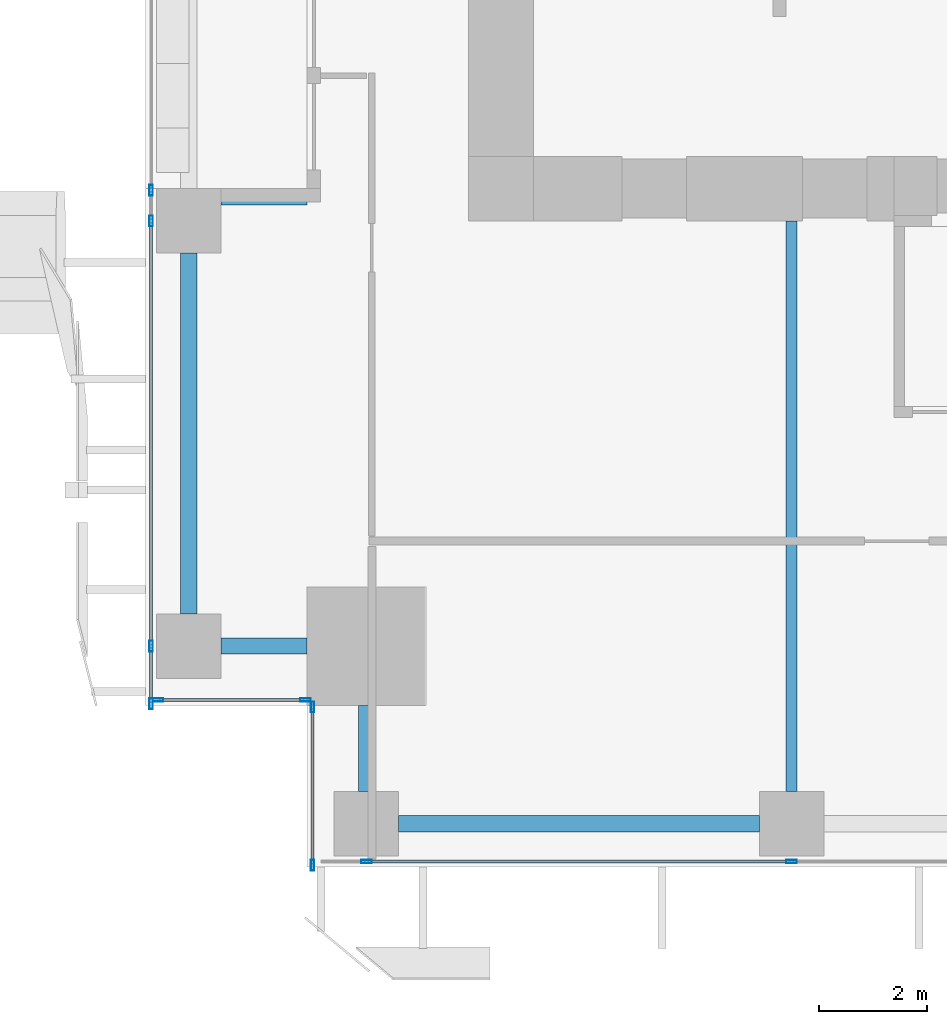
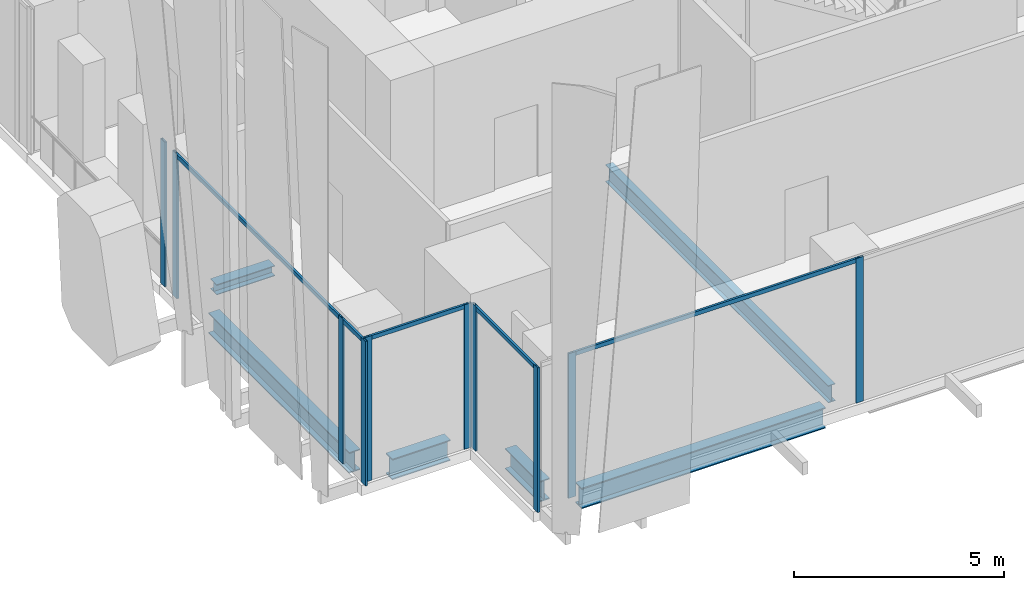
# One storey, part 2 of 36: 15 members, 6 beams, 4 elements without a shape of their own.
"""IFC4 building model written with IfcOpenShell, lengths in metres."""

from ifc_helpers import new_model, si_unit, direction, frame, origin, origin_2d, place, context, subcontext, project, spatial, hollow_rectangle, i_section, extrude, source, transform, mapped, material, material_profile, profile_set, type_object, element, aggregate, save


model = new_model("IFC4")

# Units and contexts
model_context = context("Model", 3, precision=1e-05, world=origin(), true_north=direction((0.0, 1.0)))
body_context = subcontext(model_context, "Body", "Model", "MODEL_VIEW")
ifc_project = project(units=[si_unit("LENGTHUNIT", "METRE"), si_unit("AREAUNIT", "SQUARE_METRE"), si_unit("VOLUMEUNIT", "CUBIC_METRE"), si_unit("PLANEANGLEUNIT", "RADIAN"), si_unit("MASSUNIT", "GRAM", prefix="KILO")], contexts=[model_context])

# Site, building, storey
site_placement = place(None, origin())
site = spatial("IfcSite", under=ifc_project, at=site_placement, CompositionType="ELEMENT")
building_placement = place(site_placement, origin())
building = spatial("IfcBuilding", under=site, at=building_placement, Name="Khomas Fold Tower", CompositionType="ELEMENT")
storey_placement = place(building_placement, frame((0.0, 0.0, 46.5)))
storey = spatial("IfcBuildingStorey", under=building, at=storey_placement, Name="L09", CompositionType="ELEMENT", Elevation=46.5)

# Beams
ifc_material_1 = material(Name="Steel S355", Category="steel")
ifc_material_profile_1 = material_profile(ifc_material_1, i_section(OverallWidth=0.199951171875, OverallDepth=0.5, WebThickness=0.01025390625, FlangeThickness=0.01611328125, at=origin_2d()), Name="IPE 500")
ifc_profile_set_1 = profile_set([ifc_material_profile_1], Name="Steel S355")
beam_type_1 = type_object("IfcBeamType", Name="IPE 500 beam JB5", PredefinedType="BEAM", material=ifc_profile_set_1)
shared_shape_1 = source(origin(), body_context, "Body", "SweptSolid", [
    extrude(i_section(OverallWidth=0.199951171875, OverallDepth=0.5, WebThickness=0.01025390625, FlangeThickness=0.01611328125, at=origin_2d()), origin(), (0.0, 0.0, 1.0), 10.60009765625),
])
beam_1_placement = place(storey_placement, frame((12.0, 1.39990234375, -0.550048828125), z_axis=(0.0, 1.0, 0.0), x_axis=(-1.0, 0.0, 0.0)))
element("IfcBeam", 1, at=beam_1_placement, inside=storey, type_object=beam_type_1, Name="JB5", PredefinedType="BEAM", context=body_context, shape_type="MappedRepresentation", body=[
    mapped(shared_shape_1, transform((0.0, 0.0, 0.0))),
])
ifc_material_2 = material(Name="Steel S355", Category="steel")
ifc_material_profile_2 = material_profile(ifc_material_2, i_section(OverallWidth=0.300048828125, OverallDepth=0.60009765625, WebThickness=0.015380859375, FlangeThickness=0.030029296875, at=origin_2d()), Name="HE 600 B")
ifc_profile_set_2 = profile_set([ifc_material_profile_2], Name="Steel S355")
beam_type_2 = type_object("IfcBeamType", Name="HE 600 B spandrel SB1", PredefinedType="SPANDREL", material=ifc_profile_set_2)
shared_shape_2 = source(origin(), body_context, "Body", "SweptSolid", [
    extrude(i_section(OverallWidth=0.300048828125, OverallDepth=0.60009765625, WebThickness=0.015380859375, FlangeThickness=0.030029296875, at=origin_2d()), origin(), (0.0, 0.0, 1.0), 6.699951171875),
])
for number, where, z_axis, x_axis, name in (
    (2, (4.699951171875, 0.800048828125, -0.60009765625), (1.0, 0.0, 0.0), (0.0, 1.0, 0.0), "SB1"),
    (3, (0.800048828125, 4.699951171875, -0.60009765625), (0.0, 1.0, 0.0), (-1.0, 0.0, 0.0), "SB1"),
):
    element("IfcBeam", number, at=place(storey_placement, frame(where, z_axis=z_axis, x_axis=x_axis)), inside=storey, type_object=beam_type_2, Name=name, PredefinedType="SPANDREL", context=body_context, shape_type="MappedRepresentation", body=[
        mapped(shared_shape_2, transform((0.0, 0.0, 0.0))),
    ])
shared_shape_3 = source(origin(), body_context, "Body", "SweptSolid", [
    extrude(i_section(OverallWidth=0.300048828125, OverallDepth=0.60009765625, WebThickness=0.015380859375, FlangeThickness=0.030029296875, at=origin_2d()), origin(), (0.0, 0.0, 1.0), 1.60009765625),
])
for number, where, z_axis, x_axis, name in (
    (4, (1.39990234375, 4.10009765625, -0.60009765625), (1.0, 0.0, 0.0), (0.0, 1.0, 0.0), "SB1"),
    (5, (4.10009765625, 1.39990234375, -0.60009765625), (0.0, 1.0, 0.0), (-1.0, 0.0, 0.0), "SB1"),
):
    element("IfcBeam", number, at=place(storey_placement, frame(where, z_axis=z_axis, x_axis=x_axis)), inside=storey, type_object=beam_type_2, Name=name, PredefinedType="SPANDREL", context=body_context, shape_type="MappedRepresentation", body=[
        mapped(shared_shape_3, transform((0.0, 0.0, 0.0))),
    ])
ifc_material_3 = material(Name="Steel S355", Category="steel")
ifc_material_profile_3 = material_profile(ifc_material_3, i_section(OverallWidth=0.300048828125, OverallDepth=0.300048828125, WebThickness=0.010986328125, FlangeThickness=0.01904296875, at=origin_2d()), Name="HE 300 B")
ifc_profile_set_3 = profile_set([ifc_material_profile_3], Name="Steel S355")
beam_type_3 = type_object("IfcBeamType", Name="HE 300 B beam BB1", PredefinedType="BEAM", material=ifc_profile_set_3)
shared_shape_4 = source(origin(), body_context, "Body", "SweptSolid", [
    extrude(i_section(OverallWidth=0.300048828125, OverallDepth=0.300048828125, WebThickness=0.010986328125, FlangeThickness=0.01904296875, at=origin_2d()), origin(), (0.0, 0.0, 1.0), 1.60009765625),
])
beam_2_placement = place(storey_placement, frame((1.39990234375, 12.449951171875, -0.449951171875), z_axis=(1.0, 0.0, 0.0), x_axis=(0.0, 1.0, 0.0)))
element("IfcBeam", 6, at=beam_2_placement, inside=storey, type_object=beam_type_3, Name="BB1", PredefinedType="BEAM", context=body_context, shape_type="MappedRepresentation", body=[
    mapped(shared_shape_4, transform((0.0, 0.0, 0.0))),
])

# Curtain wall, member
ifc_material_4 = material(Name="Aluminium framed double glazing", Category="aluminium")
curtain_wall_type = type_object("IfcCurtainWallType", Name="SK-Unitised clear-glass wall, growing floors CW1", PredefinedType="NOTDEFINED", material=ifc_material_4)
curtain_wall_1_placement = place(storey_placement, origin())
curtain_wall_1 = element("IfcCurtainWall", 7, at=curtain_wall_1_placement, inside=storey, type_object=curtain_wall_type, Name="CW1 run L09 00-0", PredefinedType="NOTDEFINED")
ifc_material_5 = material(Name="Aluminium", Category="aluminium")
ifc_material_profile_4 = material_profile(ifc_material_5, hollow_rectangle(XDim=0.06005859375, YDim=0.1201171875, WallThickness=0.00390625, at=origin_2d()), Name="SK-Unitised clear-glass wall, growing floors transom CW1-T")
ifc_profile_set_4 = profile_set([ifc_material_profile_4], Name="Aluminium")
member_type_1 = type_object("IfcMemberType", Name="SK-Unitised clear-glass wall, growing floors transom CW1-T", PredefinedType="USERDEFINED", material=ifc_profile_set_4)
shared_shape_5 = source(origin(), body_context, "Body", "SweptSolid", [
    extrude(hollow_rectangle(XDim=0.06005859375, YDim=0.1201171875, WallThickness=0.00390625, at=origin_2d()), origin(), (0.0, 0.0, 1.0), 7.840087890625),
])
member_1_placement = place(storey_placement, frame((4.1298828125, 0.10009765625, 4.139892578125), z_axis=(1.0, 0.0, 0.0), x_axis=(0.0, 1.0, 0.0)))
member_1 = element("IfcMember", 8, at=member_1_placement, type_object=member_type_1, Name="CW1 transom 2", ObjectType="TRANSOM", PredefinedType="USERDEFINED", context=body_context, shape_type="MappedRepresentation", body=[
    mapped(shared_shape_5, transform((0.0, 0.0, 0.0))),
])

# Curtain wall, members
curtain_wall_2_placement = place(storey_placement, origin())
curtain_wall_2 = element("IfcCurtainWall", 9, at=curtain_wall_2_placement, inside=storey, type_object=curtain_wall_type, Name="CW1 run L09 09-1", PredefinedType="NOTDEFINED")
member_2_placement = place(storey_placement, frame((0.10009765625, 11.969970703125, 4.139892578125), z_axis=(0.0, -1.0, 0.0), x_axis=(1.0, 0.0, 0.0)))
member_2 = element("IfcMember", 10, at=member_2_placement, type_object=member_type_1, Name="CW1 transom 2", ObjectType="TRANSOM", PredefinedType="USERDEFINED", context=body_context, shape_type="MappedRepresentation", body=[
    mapped(shared_shape_5, transform((0.0, 0.0, 0.0))),
])
shared_shape_6 = source(origin(), body_context, "Body", "SweptSolid", [
    extrude(hollow_rectangle(XDim=0.06005859375, YDim=0.1201171875, WallThickness=0.00390625, at=origin_2d()), origin(), (0.0, 0.0, 1.0), 1.010009765625),
])
member_3_placement = place(storey_placement, frame((0.10009765625, 4.070068359375, 4.139892578125), z_axis=(0.0, -1.0, 0.0), x_axis=(1.0, 0.0, 0.0)))
member_3 = element("IfcMember", 11, at=member_3_placement, type_object=member_type_1, Name="CW1 transom 3", ObjectType="TRANSOM", PredefinedType="USERDEFINED", context=body_context, shape_type="MappedRepresentation", body=[
    mapped(shared_shape_6, transform((0.0, 0.0, 0.0))),
])

# Curtain wall, member
curtain_wall_3_placement = place(storey_placement, origin())
curtain_wall_3 = element("IfcCurtainWall", 12, at=curtain_wall_3_placement, inside=storey, type_object=curtain_wall_type, Name="CW1 corner return L09 10", PredefinedType="NOTDEFINED")
shared_shape_7 = source(origin(), body_context, "Body", "SweptSolid", [
    extrude(hollow_rectangle(XDim=0.06005859375, YDim=0.1201171875, WallThickness=0.00390625, at=origin_2d()), origin(), (0.0, 0.0, 1.0), 2.679931640625),
])
member_4_placement = place(storey_placement, frame((0.260009765625, 3.10009765625, 4.139892578125), z_axis=(1.0, 0.0, 0.0), x_axis=(0.0, 1.0, 0.0)))
member_4 = element("IfcMember", 13, at=member_4_placement, type_object=member_type_1, Name="CW1 transom 1", ObjectType="TRANSOM", PredefinedType="USERDEFINED", context=body_context, shape_type="MappedRepresentation", body=[
    mapped(shared_shape_7, transform((0.0, 0.0, 0.0))),
])

curtain_wall_4_placement = place(storey_placement, origin())
curtain_wall_4 = element("IfcCurtainWall", 14, at=curtain_wall_4_placement, inside=storey, type_object=curtain_wall_type, Name="CW1 corner return L09 11", PredefinedType="NOTDEFINED")
shared_shape_8 = source(origin(), body_context, "Body", "SweptSolid", [
    extrude(hollow_rectangle(XDim=0.06005859375, YDim=0.1201171875, WallThickness=0.00390625, at=origin_2d()), origin(), (0.0, 0.0, 1.0), 2.8798828125),
])
member_5_placement = place(storey_placement, frame((3.10009765625, 2.93994140625, 4.139892578125), z_axis=(0.0, -1.0, 0.0), x_axis=(1.0, 0.0, 0.0)))
member_5 = element("IfcMember", 15, at=member_5_placement, type_object=member_type_1, Name="CW1 transom 1", ObjectType="TRANSOM", PredefinedType="USERDEFINED", context=body_context, shape_type="MappedRepresentation", body=[
    mapped(shared_shape_8, transform((0.0, 0.0, 0.0))),
])

# Member
ifc_material_6 = material(Name="Aluminium", Category="aluminium")
ifc_material_profile_5 = material_profile(ifc_material_6, hollow_rectangle(XDim=0.06005859375, YDim=0.199951171875, WallThickness=0.00390625, at=origin_2d()), Name="SK-Unitised clear-glass wall, growing floors mullion CW1-M")
ifc_profile_set_5 = profile_set([ifc_material_profile_5], Name="Aluminium")
member_type_2 = type_object("IfcMemberType", Name="SK-Unitised clear-glass wall, growing floors mullion CW1-M", PredefinedType="MULLION", material=ifc_profile_set_5)
shared_shape_9 = source(origin(), body_context, "Body", "SweptSolid", [
    extrude(hollow_rectangle(XDim=0.06005859375, YDim=0.199951171875, WallThickness=0.00390625, at=origin_2d()), origin(), (0.0, 0.0, 1.0), 4.199951171875),
])
member_6_placement = place(storey_placement, frame((4.10009765625, 0.10009765625, 0.0), z_axis=(0.0, 0.0, 1.0), x_axis=(0.0, 1.0, 0.0)))
member_6 = element("IfcMember", 16, at=member_6_placement, type_object=member_type_2, Name="CW1 mullion 2", PredefinedType="MULLION", context=body_context, shape_type="MappedRepresentation", body=[
    mapped(shared_shape_9, transform((0.0, 0.0, 0.0))),
])

member_7_placement = place(storey_placement, frame((12.0, 0.10009765625, 0.0), z_axis=(0.0, 0.0, 1.0), x_axis=(0.0, 1.0, 0.0)))
member_7 = element("IfcMember", 17, at=member_7_placement, type_object=member_type_2, Name="CW1 mullion 3", PredefinedType="MULLION", context=body_context, shape_type="MappedRepresentation", body=[
    mapped(shared_shape_9, transform((0.0, 0.0, 0.0))),
])

aggregate(curtain_wall_1, [member_6, member_7, member_1])

member_8_placement = place(storey_placement, frame((0.10009765625, 12.570068359375, 0.0), z_axis=(0.0, 0.0, 1.0), x_axis=(1.0, 0.0, 0.0)))
member_8 = element("IfcMember", 18, at=member_8_placement, type_object=member_type_2, Name="CW1 mullion 1", PredefinedType="MULLION", context=body_context, shape_type="MappedRepresentation", body=[
    mapped(shared_shape_9, transform((0.0, 0.0, 0.0))),
])

member_9_placement = place(storey_placement, frame((0.10009765625, 12.0, 0.0), z_axis=(0.0, 0.0, 1.0), x_axis=(1.0, 0.0, 0.0)))
member_9 = element("IfcMember", 19, at=member_9_placement, type_object=member_type_2, Name="CW1 mullion 2", PredefinedType="MULLION", context=body_context, shape_type="MappedRepresentation", body=[
    mapped(shared_shape_9, transform((0.0, 0.0, 0.0))),
])

member_10_placement = place(storey_placement, frame((0.10009765625, 4.10009765625, 0.0), z_axis=(0.0, 0.0, 1.0), x_axis=(1.0, 0.0, 0.0)))
member_10 = element("IfcMember", 20, at=member_10_placement, type_object=member_type_2, Name="CW1 mullion 3", PredefinedType="MULLION", context=body_context, shape_type="MappedRepresentation", body=[
    mapped(shared_shape_9, transform((0.0, 0.0, 0.0))),
])

member_11_placement = place(storey_placement, frame((0.10009765625, 3.030029296875, 0.0), z_axis=(0.0, 0.0, 1.0), x_axis=(1.0, 0.0, 0.0)))
member_11 = element("IfcMember", 21, at=member_11_placement, type_object=member_type_2, Name="CW1 mullion 4", PredefinedType="MULLION", context=body_context, shape_type="MappedRepresentation", body=[
    mapped(shared_shape_9, transform((0.0, 0.0, 0.0))),
])

aggregate(curtain_wall_2, [member_8, member_9, member_10, member_11, member_2, member_3])

member_12_placement = place(storey_placement, frame((0.22998046875, 3.10009765625, 0.0), z_axis=(0.0, 0.0, 1.0), x_axis=(0.0, 1.0, 0.0)))
member_12 = element("IfcMember", 22, at=member_12_placement, type_object=member_type_2, Name="CW1 mullion 1", PredefinedType="MULLION", context=body_context, shape_type="MappedRepresentation", body=[
    mapped(shared_shape_9, transform((0.0, 0.0, 0.0))),
])

member_13_placement = place(storey_placement, frame((2.969970703125, 3.10009765625, 0.0), z_axis=(0.0, 0.0, 1.0), x_axis=(0.0, 1.0, 0.0)))
member_13 = element("IfcMember", 23, at=member_13_placement, type_object=member_type_2, Name="CW1 mullion 2", PredefinedType="MULLION", context=body_context, shape_type="MappedRepresentation", body=[
    mapped(shared_shape_9, transform((0.0, 0.0, 0.0))),
])

aggregate(curtain_wall_3, [member_12, member_13, member_4])

member_14_placement = place(storey_placement, frame((3.10009765625, 2.969970703125, 0.0), z_axis=(0.0, 0.0, 1.0), x_axis=(1.0, 0.0, 0.0)))
member_14 = element("IfcMember", 24, at=member_14_placement, type_object=member_type_2, Name="CW1 mullion 1", PredefinedType="MULLION", context=body_context, shape_type="MappedRepresentation", body=[
    mapped(shared_shape_9, transform((0.0, 0.0, 0.0))),
])

member_15_placement = place(storey_placement, frame((3.10009765625, 0.030029296875, 0.0), z_axis=(0.0, 0.0, 1.0), x_axis=(1.0, 0.0, 0.0)))
member_15 = element("IfcMember", 25, at=member_15_placement, type_object=member_type_2, Name="CW1 mullion 2", PredefinedType="MULLION", context=body_context, shape_type="MappedRepresentation", body=[
    mapped(shared_shape_9, transform((0.0, 0.0, 0.0))),
])

aggregate(curtain_wall_4, [member_14, member_15, member_5])

save(model, "model.ifc")
